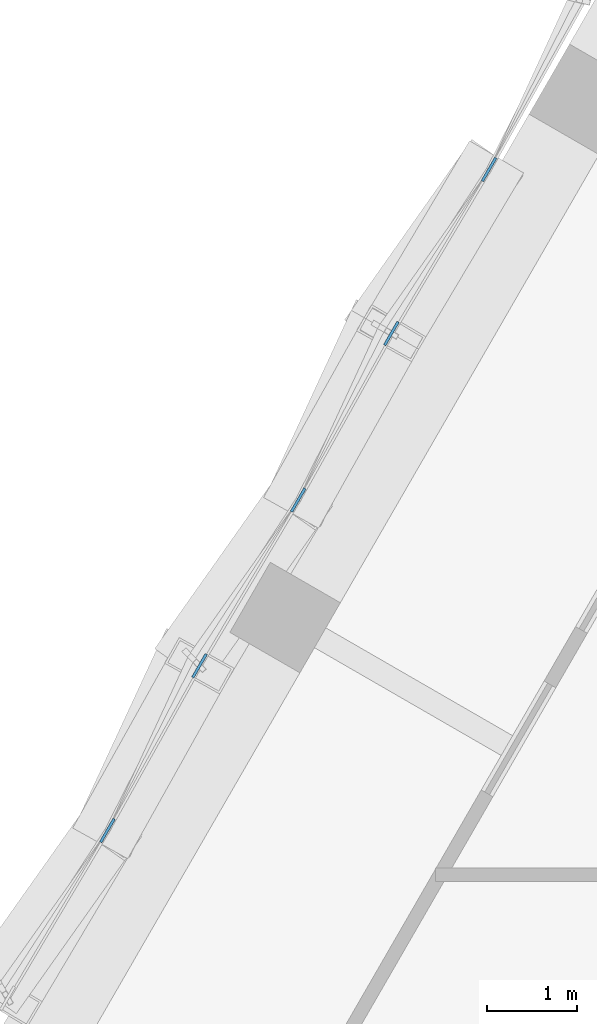
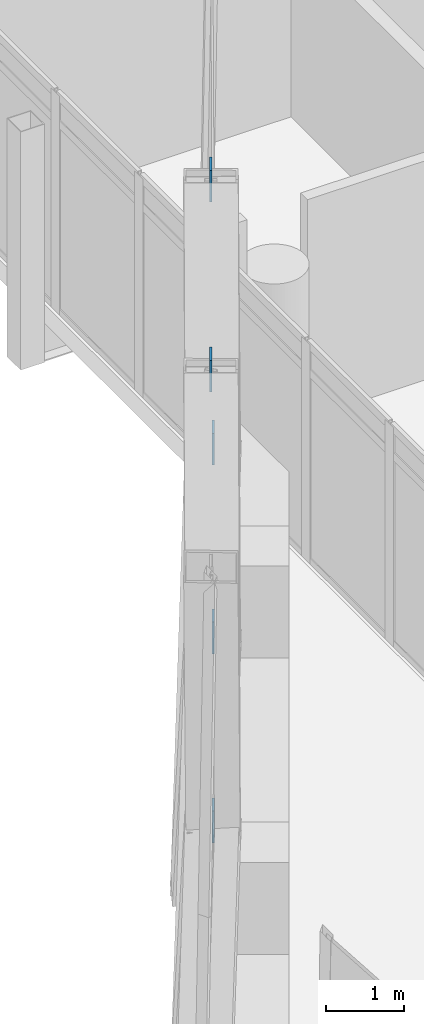
# One storey, part 35 of 37: 5 discrete accessories.
"""IFC4 building model written with IfcOpenShell, lengths in metres."""

from ifc_helpers import new_model, si_unit, direction, frame, origin, origin_2d, place, context, subcontext, project, spatial, rectangle, extrude, material, layer, layer_set, type_object, element, save


model = new_model("IFC4")

# Units and contexts
model_context = context("Model", 3, precision=1e-05, world=origin(), true_north=direction((0.0, 1.0)))
body_context = subcontext(model_context, "Body", "Model", "MODEL_VIEW")
ifc_project = project(units=[si_unit("LENGTHUNIT", "METRE"), si_unit("AREAUNIT", "SQUARE_METRE"), si_unit("VOLUMEUNIT", "CUBIC_METRE"), si_unit("PLANEANGLEUNIT", "RADIAN"), si_unit("MASSUNIT", "GRAM", prefix="KILO")], contexts=[model_context])

# Site, building, storey
site_placement = place(None, origin())
site = spatial("IfcSite", under=ifc_project, at=site_placement, CompositionType="ELEMENT")
building_placement = place(site_placement, origin())
building = spatial("IfcBuilding", under=site, at=building_placement, Name="Ostrander Bayou Hotel Tower", CompositionType="ELEMENT")
storey_placement = place(building_placement, frame((0.0, 0.0, 225.75)))
storey = spatial("IfcBuildingStorey", under=building, at=storey_placement, Name="L56", CompositionType="ELEMENT", Elevation=225.75)

# Discrete accessories
ifc_material = material(Name="Steel ASTM A572 Gr 50", Category="steel")
ifc_layer = layer(ifc_material, 0.030029296875)
ifc_layer_set = layer_set([ifc_layer], Name="GP1 gusset plate 30 mm")
discrete_accessory_type = type_object("IfcDiscreteAccessoryType", Name="GP1 gusset plate 30 mm", PredefinedType="BRACKET", material=ifc_layer_set)
for number, where, z_axis, x_axis, name in (
    (1, (-13.845947265625, 10.446044921875, 4.77490234375), (0.0, 0.0, 1.0), (-0.5, -0.866025403784, 0.0), "GP1 gusset plate lat 353"),
    (2, (-14.9326171875, 8.621337890625, 10.39990234375), (0.0, 0.0, 1.0), (-0.5, -0.866025403784, 0.0), "GP1 gusset plate lat 354"),
    (3, (-15.969482421875, 6.767822265625, 4.77490234375), (0.0, 0.0, 1.0), (-0.5, -0.866025403784, 0.0), "GP1 gusset plate lat 355"),
    (4, (-17.068115234375, 4.9228515625, 10.39990234375), (0.0, 0.0, 1.0), (-0.5, -0.866025403784, 0.0), "GP1 gusset plate lat 356"),
    (5, (-18.093017578125, 3.08984375, 4.77490234375), (0.0, 0.0, 1.0), (-0.5, -0.866025403784, 0.0), "GP1 gusset plate lat 357"),
):
    element("IfcDiscreteAccessory", number, at=place(storey_placement, frame(where, z_axis=z_axis, x_axis=x_axis)), inside=storey, type_object=discrete_accessory_type, Name=name, PredefinedType="BRACKET", context=body_context, shape_type="SweptSolid", body=[
        extrude(rectangle(XDim=0.300048828125, YDim=0.030029296875, at=origin_2d()), origin(), (0.0, 0.0, 1.0), 0.5),
    ])

save(model, "model.ifc")
